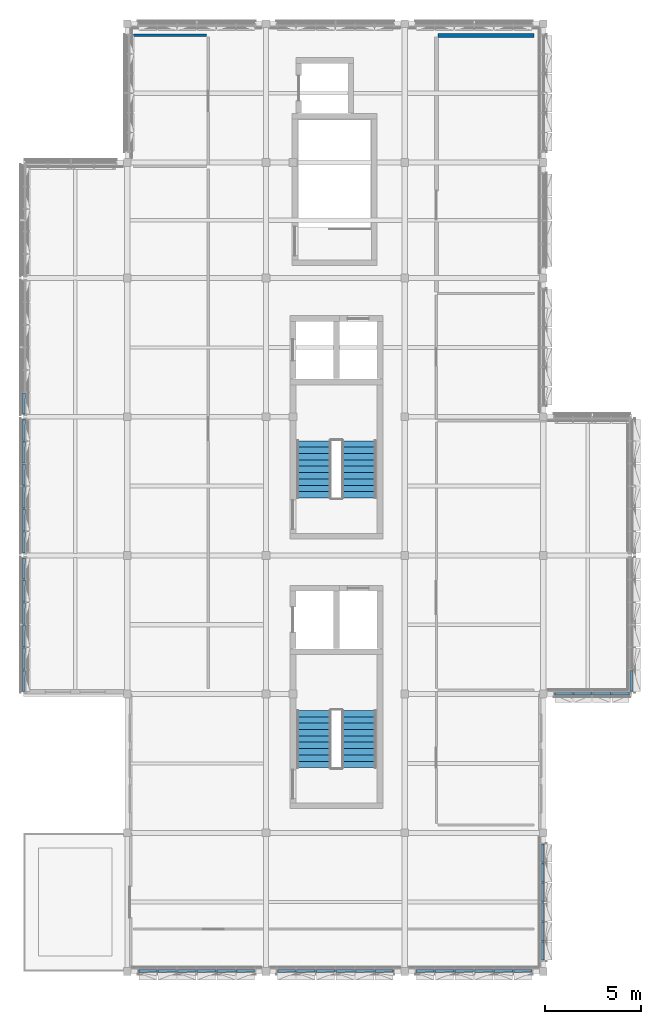
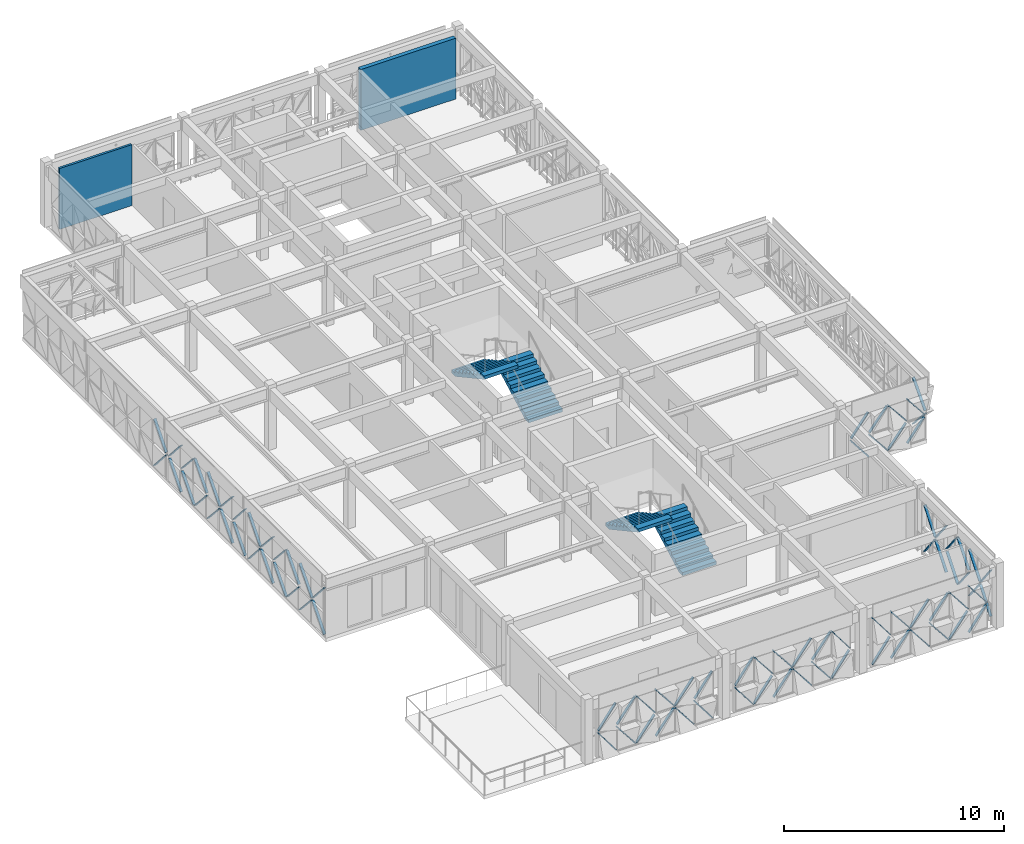
# One storey, part 17 of 25: 84 discrete accessories, 4 stair flights, 2 walls, 2 elements without a shape of their own.
"""IFC4 building model written with IfcOpenShell, lengths in metres."""

from ifc_helpers import new_model, si_unit, direction, frame, frame_2d, origin, origin_2d, place, context, subcontext, project, spatial, polyline, rectangle, outline, extrude, material, layer, layer_set, type_object, element, aggregate, save


model = new_model("IFC4")

# Units and contexts
model_context = context("Model", 3, precision=1e-05, world=origin(), true_north=direction((0.0, 1.0)))
body_context = subcontext(model_context, "Body", "Model", "MODEL_VIEW")
ifc_project = project(units=[si_unit("LENGTHUNIT", "METRE"), si_unit("AREAUNIT", "SQUARE_METRE"), si_unit("VOLUMEUNIT", "CUBIC_METRE"), si_unit("PLANEANGLEUNIT", "RADIAN"), si_unit("MASSUNIT", "GRAM", prefix="KILO")], contexts=[model_context])

# Site, building, storey
site_placement = place(None, origin())
site = spatial("IfcSite", under=ifc_project, at=site_placement, CompositionType="ELEMENT")
building_placement = place(site_placement, origin())
building = spatial("IfcBuilding", under=site, at=building_placement, Name="Alvorim Cloister Faculty of Sciences", CompositionType="ELEMENT")
storey_placement = place(building_placement, frame((0.0, 0.0, 29.699951171875)))
storey = spatial("IfcBuildingStorey", under=building, at=storey_placement, Name="L08", CompositionType="ELEMENT", Elevation=29.699951171875)

# Walls
ifc_material_1 = material(Name="Acoustic Gypsum Stud Partition", Category="gypsum")
ifc_layer_1 = layer(ifc_material_1, 0.1201171875)
ifc_layer_set_1 = layer_set([ifc_layer_1], Name="Acoustic Gypsum Stud Partition")
wall_type_1 = type_object("IfcWallType", Name="WL-PRT-120", PredefinedType="PARTITIONING", material=ifc_layer_set_1)
wall_1_placement = place(storey_placement, frame((7.530029296875, 55.800048828125, 0.0), z_axis=(0.0, 0.0, 1.0), x_axis=(1.0, 0.0, 0.0)))
element("IfcWall", 1, at=wall_1_placement, inside=storey, type_object=wall_type_1, Name="L08 Crown Research Directors Suite Partition IWL-0705", PredefinedType="PARTITIONING", context=body_context, shape_type="SweptSolid", body=[
    extrude(rectangle(XDim=3.7900390625, YDim=0.1201171875, at=frame_2d((1.89501953125, 0.0))), origin(), (0.0, 0.0, 1.0), 3.385009765625),
])
ifc_material_2 = material(Name="Autoclaved Aerated Concrete Blockwork", Category="masonry")
ifc_layer_2 = layer(ifc_material_2, 0.219970703125)
ifc_layer_set_2 = layer_set([ifc_layer_2], Name="Autoclaved Aerated Concrete Blockwork")
wall_type_2 = type_object("IfcWallType", Name="WL-PRT-220", PredefinedType="PARTITIONING", material=ifc_layer_set_2)
wall_2_placement = place(storey_placement, frame((23.330078125, 55.800048828125, 0.0), z_axis=(0.0, 0.0, 1.0), x_axis=(1.0, 0.0, 0.0)))
element("IfcWall", 2, at=wall_2_placement, inside=storey, type_object=wall_type_2, Name="L08 Crown Heat-Recovery and Solar Inverter Room Partition IWL-0716", PredefinedType="PARTITIONING", context=body_context, shape_type="SweptSolid", body=[
    extrude(rectangle(XDim=4.989990234375, YDim=0.219970703125, at=frame_2d((2.4951171875, 0.0))), origin(), (0.0, 0.0, 1.0), 3.385009765625),
])

# Stair, stair flights
ifc_material_3 = material(Name="Concrete C40", Category="concrete")
stair_type_1 = type_object("IfcStairType", Name="STR-ST-01-1780x3600", PredefinedType="HALF_TURN_STAIR", material=ifc_material_3)
stair_1_placement = place(storey_placement, origin())
stair_1 = element("IfcStair", 3, at=stair_1_placement, inside=storey, type_object=stair_type_1, Name="L08 Enclosed Smoke-Proof Stair ST-01", PredefinedType="HALF_TURN_STAIR")
stair_flight_type_1 = type_object("IfcStairFlightType", Name="FLT-ST-01-1780x1800", PredefinedType="STRAIGHT", material=ifc_material_3)
stair_flight_1_placement = place(storey_placement, frame((19.22998046875, 17.780029296875, 0.0), z_axis=(0.0, 0.0, 1.0), x_axis=(0.0, 1.0, 0.0)))
stair_flight_1 = element("IfcStairFlight", 4, at=stair_flight_1_placement, type_object=stair_flight_type_1, Name="ST-01 flight 1", NumberOfRisers=10, NumberOfTreads=9, PredefinedType="STRAIGHT", RiserHeight=0.18, TreadLength=0.33, context=body_context, shape_type="SweptSolid", body=[
    extrude(outline(polyline([(0.333984375, 0.0), (2.969970703125, 1.437744140625), (2.969970703125, 1.800048828125), (2.969970703125, 1.6201171875), (2.639892578125, 1.6201171875), (2.639892578125, 1.43994140625), (2.31005859375, 1.43994140625), (2.31005859375, 1.260009765625), (1.97998046875, 1.260009765625), (1.97998046875, 1.080078125), (1.64990234375, 1.080078125), (1.64990234375, 0.89990234375), (1.320068359375, 0.89990234375), (1.320068359375, 0.719970703125), (0.989990234375, 0.719970703125), (0.989990234375, 0.5400390625), (0.659912109375, 0.5400390625), (0.659912109375, 0.360107421875), (0.330078125, 0.360107421875), (0.330078125, 0.179931640625), (0.0, 0.179931640625), (0.0, 0.0), (0.333984375, 0.0)])), frame((0.0, 0.89013671875, 0.0), z_axis=(0.0, -1.0, 0.0), x_axis=(1.0, 0.0, 0.0)), (0.0, 0.0, 1.0), 1.780029296875),
])
stair_flight_2_placement = place(storey_placement, frame((16.889892578125, 20.75, 1.800048828125), z_axis=(0.0, 0.0, 1.0), x_axis=(0.0, -1.0, 0.0)))
stair_flight_2 = element("IfcStairFlight", 5, at=stair_flight_2_placement, type_object=stair_flight_type_1, Name="ST-01 flight 2", NumberOfRisers=10, NumberOfTreads=9, PredefinedType="STRAIGHT", RiserHeight=0.18, TreadLength=0.33, context=body_context, shape_type="SweptSolid", body=[
    extrude(outline(polyline([(0.333984375, 0.0), (2.969970703125, 1.437744140625), (2.969970703125, 1.800048828125), (2.969970703125, 1.6201171875), (2.639892578125, 1.6201171875), (2.639892578125, 1.43994140625), (2.31005859375, 1.43994140625), (2.31005859375, 1.260009765625), (1.97998046875, 1.260009765625), (1.97998046875, 1.080078125), (1.64990234375, 1.080078125), (1.64990234375, 0.89990234375), (1.320068359375, 0.89990234375), (1.320068359375, 0.719970703125), (0.989990234375, 0.719970703125), (0.989990234375, 0.5400390625), (0.659912109375, 0.5400390625), (0.659912109375, 0.360107421875), (0.330078125, 0.360107421875), (0.330078125, 0.179931640625), (0.0, 0.179931640625), (0.0, 0.0), (0.333984375, 0.0)])), frame((0.0, 0.89013671875, 0.0), z_axis=(0.0, -1.0, 0.0), x_axis=(1.0, 0.0, 0.0)), (0.0, 0.0, 1.0), 1.780029296875),
])
aggregate(stair_1, [stair_flight_1, stair_flight_2])

stair_type_2 = type_object("IfcStairType", Name="STR-ST-02-1780x3600", PredefinedType="HALF_TURN_STAIR", material=ifc_material_3)
stair_2_placement = place(storey_placement, origin())
stair_2 = element("IfcStair", 6, at=stair_2_placement, inside=storey, type_object=stair_type_2, Name="L08 Enclosed Smoke-Proof Stair ST-02", PredefinedType="HALF_TURN_STAIR")
stair_flight_type_2 = type_object("IfcStairFlightType", Name="FLT-ST-02-1780x1800", PredefinedType="STRAIGHT", material=ifc_material_3)
stair_flight_3_placement = place(storey_placement, frame((19.22998046875, 31.780029296875, 0.0), z_axis=(0.0, 0.0, 1.0), x_axis=(0.0, 1.0, 0.0)))
stair_flight_3 = element("IfcStairFlight", 7, at=stair_flight_3_placement, type_object=stair_flight_type_2, Name="ST-02 flight 1", NumberOfRisers=10, NumberOfTreads=9, PredefinedType="STRAIGHT", RiserHeight=0.18, TreadLength=0.33, context=body_context, shape_type="SweptSolid", body=[
    extrude(outline(polyline([(0.333984375, 0.0), (2.969970703125, 1.437744140625), (2.969970703125, 1.800048828125), (2.969970703125, 1.6201171875), (2.639892578125, 1.6201171875), (2.639892578125, 1.43994140625), (2.31005859375, 1.43994140625), (2.31005859375, 1.260009765625), (1.97998046875, 1.260009765625), (1.97998046875, 1.080078125), (1.64990234375, 1.080078125), (1.64990234375, 0.89990234375), (1.320068359375, 0.89990234375), (1.320068359375, 0.719970703125), (0.989990234375, 0.719970703125), (0.989990234375, 0.5400390625), (0.659912109375, 0.5400390625), (0.659912109375, 0.360107421875), (0.330078125, 0.360107421875), (0.330078125, 0.179931640625), (0.0, 0.179931640625), (0.0, 0.0), (0.333984375, 0.0)])), frame((0.0, 0.89013671875, 0.0), z_axis=(0.0, -1.0, 0.0), x_axis=(1.0, 0.0, 0.0)), (0.0, 0.0, 1.0), 1.780029296875),
])
stair_flight_4_placement = place(storey_placement, frame((16.889892578125, 34.75, 1.800048828125), z_axis=(0.0, 0.0, 1.0), x_axis=(0.0, -1.0, 0.0)))
stair_flight_4 = element("IfcStairFlight", 8, at=stair_flight_4_placement, type_object=stair_flight_type_2, Name="ST-02 flight 2", NumberOfRisers=10, NumberOfTreads=9, PredefinedType="STRAIGHT", RiserHeight=0.18, TreadLength=0.33, context=body_context, shape_type="SweptSolid", body=[
    extrude(outline(polyline([(0.333984375, 0.0), (2.969970703125, 1.437744140625), (2.969970703125, 1.800048828125), (2.969970703125, 1.6201171875), (2.639892578125, 1.6201171875), (2.639892578125, 1.43994140625), (2.31005859375, 1.43994140625), (2.31005859375, 1.260009765625), (1.97998046875, 1.260009765625), (1.97998046875, 1.080078125), (1.64990234375, 1.080078125), (1.64990234375, 0.89990234375), (1.320068359375, 0.89990234375), (1.320068359375, 0.719970703125), (0.989990234375, 0.719970703125), (0.989990234375, 0.5400390625), (0.659912109375, 0.5400390625), (0.659912109375, 0.360107421875), (0.330078125, 0.360107421875), (0.330078125, 0.179931640625), (0.0, 0.179931640625), (0.0, 0.0), (0.333984375, 0.0)])), frame((0.0, 0.89013671875, 0.0), z_axis=(0.0, -1.0, 0.0), x_axis=(1.0, 0.0, 0.0)), (0.0, 0.0, 1.0), 1.780029296875),
])
aggregate(stair_2, [stair_flight_3, stair_flight_4])

# Discrete accessories
ifc_material_4 = material(Name="Aluminium Alloy 6063-T6", Category="aluminium")
discrete_accessory_type = type_object("IfcDiscreteAccessoryType", Name="ACC-DIAG-BAR", PredefinedType="BRACKET", material=ifc_material_4)
for number, where, z_axis, x_axis, name in (
    (9, (1.822509765625, 21.7451171875, 0.14013671875), (0.006144459106, 0.660304556563, 0.750972794584), (-0.999956706716, 0.009305089645, 0.0), "Diagonal Cassette Glazing Bracket ACC-03131"),
    (10, (1.822509765625, 21.7451171875, 2.72705078125), (0.006144459106, 0.660304556563, -0.750972794584), (-0.999956706716, 0.009305089645, 0.0), "Diagonal Cassette Glazing Bracket ACC-03132"),
):
    element("IfcDiscreteAccessory", number, at=place(storey_placement, frame(where, z_axis=z_axis, x_axis=x_axis)), inside=storey, type_object=discrete_accessory_type, Name=name, PredefinedType="BRACKET", context=body_context, shape_type="SweptSolid", body=[
        extrude(rectangle(XDim=0.139892578125, YDim=0.044921875, at=origin_2d()), origin(), (0.0, 0.0, 1.0), 1.629150390625),
    ])
for number, where, z_axis, x_axis, name in (
    (11, (1.822509765625, 22.8857421875, 1.363525390625), (0.006063377232, 0.671408113036, -0.741063007582), (-0.999959224486, 0.009030468767, 0.0), "Diagonal Cassette Glazing Bracket ACC-03133"),
    (12, (1.822509765625, 22.8857421875, 1.503662109375), (0.006063377232, 0.671408113036, 0.741063007582), (-0.999959224486, 0.009030468767, 0.0), "Diagonal Cassette Glazing Bracket ACC-03134"),
    (13, (1.822509765625, 24.05908203125, 1.363525390625), (0.006063377232, 0.671408113036, -0.741063007582), (-0.999959224486, 0.009030468767, 0.0), "Diagonal Cassette Glazing Bracket ACC-03135"),
    (14, (1.822509765625, 24.05908203125, 1.503662109375), (0.006063377232, 0.671408113036, 0.741063007582), (-0.999959224486, 0.009030468767, 0.0), "Diagonal Cassette Glazing Bracket ACC-03136"),
    (15, (1.822509765625, 25.232421875, 0.14013671875), (0.006063377232, 0.671408113036, 0.741063007582), (-0.999959224486, 0.009030468767, 0.0), "Diagonal Cassette Glazing Bracket ACC-03137"),
    (16, (1.822509765625, 25.232421875, 2.72705078125), (0.006063377232, 0.671408113036, -0.741063007582), (-0.999959224486, 0.009030468767, 0.0), "Diagonal Cassette Glazing Bracket ACC-03138"),
    (17, (1.822509765625, 26.40576171875, 0.14013671875), (0.006063377232, 0.671408113036, 0.741063007582), (-0.999959224486, 0.009030468767, 0.0), "Diagonal Cassette Glazing Bracket ACC-03139"),
    (18, (1.822509765625, 26.40576171875, 2.72705078125), (0.006063377232, 0.671408113036, -0.741063007582), (-0.999959224486, 0.009030468767, 0.0), "Diagonal Cassette Glazing Bracket ACC-03140"),
):
    element("IfcDiscreteAccessory", number, at=place(storey_placement, frame(where, z_axis=z_axis, x_axis=x_axis)), inside=storey, type_object=discrete_accessory_type, Name=name, PredefinedType="BRACKET", context=body_context, shape_type="SweptSolid", body=[
        extrude(rectangle(XDim=0.139892578125, YDim=0.044921875, at=origin_2d()), origin(), (0.0, 0.0, 1.0), 1.65087890625),
    ])
for number, where, z_axis, x_axis, name in (
    (19, (1.822509765625, 27.5791015625, 1.363525390625), (0.006143851093, 0.660389067481, -0.750898483582), (-0.99995672636, 0.009302978394, 0.0), "Diagonal Cassette Glazing Bracket ACC-03141"),
    (20, (1.822509765625, 27.5791015625, 1.503662109375), (0.006143851093, 0.660389067481, 0.750898483582), (-0.99995672636, 0.009302978394, 0.0), "Diagonal Cassette Glazing Bracket ACC-03142"),
    (21, (1.822509765625, 28.945068359375, 0.14013671875), (0.006144459106, 0.660304556563, 0.750972794584), (-0.999956706716, 0.009305089645, 0.0), "Diagonal Cassette Glazing Bracket ACC-03144"),
    (22, (1.822509765625, 28.945068359375, 2.72705078125), (0.006144459106, 0.660304556563, -0.750972794584), (-0.999956706716, 0.009305089645, 0.0), "Diagonal Cassette Glazing Bracket ACC-03145"),
):
    element("IfcDiscreteAccessory", number, at=place(storey_placement, frame(where, z_axis=z_axis, x_axis=x_axis)), inside=storey, type_object=discrete_accessory_type, Name=name, PredefinedType="BRACKET", context=body_context, shape_type="SweptSolid", body=[
        extrude(rectangle(XDim=0.139892578125, YDim=0.044921875, at=origin_2d()), origin(), (0.0, 0.0, 1.0), 1.629150390625),
    ])
for number, where, z_axis, x_axis, name in (
    (23, (1.822509765625, 30.0859375, 0.14013671875), (0.006063979305, 0.671326879612, 0.741136592583), (-0.999959206518, 0.009032458133, 0.0), "Diagonal Cassette Glazing Bracket ACC-03146"),
    (24, (1.822509765625, 30.0859375, 2.72705078125), (0.006063979305, 0.671326879612, -0.741136592583), (-0.999959206518, 0.009032458133, 0.0), "Diagonal Cassette Glazing Bracket ACC-03147"),
    (25, (1.822509765625, 31.25927734375, 1.363525390625), (0.006063979305, 0.671326879612, -0.741136592583), (-0.999959206518, 0.009032458133, 0.0), "Diagonal Cassette Glazing Bracket ACC-03148"),
    (26, (1.822509765625, 31.25927734375, 1.503662109375), (0.006063979305, 0.671326879612, 0.741136592583), (-0.999959206518, 0.009032458133, 0.0), "Diagonal Cassette Glazing Bracket ACC-03149"),
    (27, (1.822509765625, 32.4326171875, 1.363525390625), (0.006063979305, 0.671326879612, -0.741136592583), (-0.999959206518, 0.009032458133, 0.0), "Diagonal Cassette Glazing Bracket ACC-03150"),
    (28, (1.822509765625, 32.4326171875, 1.503662109375), (0.006063979305, 0.671326879612, 0.741136592583), (-0.999959206518, 0.009032458133, 0.0), "Diagonal Cassette Glazing Bracket ACC-03151"),
):
    element("IfcDiscreteAccessory", number, at=place(storey_placement, frame(where, z_axis=z_axis, x_axis=x_axis)), inside=storey, type_object=discrete_accessory_type, Name=name, PredefinedType="BRACKET", context=body_context, shape_type="SweptSolid", body=[
        extrude(rectangle(XDim=0.139892578125, YDim=0.044921875, at=origin_2d()), origin(), (0.0, 0.0, 1.0), 1.650634765625),
    ])
for number, where, z_axis, x_axis, name in (
    (29, (1.822509765625, 33.605712890625, 0.14013671875), (0.006063377232, 0.671408113036, 0.741063007582), (-0.999959224486, 0.009030468767, 0.0), "Diagonal Cassette Glazing Bracket ACC-03152"),
    (30, (1.822509765625, 33.605712890625, 2.72705078125), (0.006063377232, 0.671408113036, -0.741063007582), (-0.999959224486, 0.009030468767, 0.0), "Diagonal Cassette Glazing Bracket ACC-03153"),
):
    element("IfcDiscreteAccessory", number, at=place(storey_placement, frame(where, z_axis=z_axis, x_axis=x_axis)), inside=storey, type_object=discrete_accessory_type, Name=name, PredefinedType="BRACKET", context=body_context, shape_type="SweptSolid", body=[
        extrude(rectangle(XDim=0.139892578125, YDim=0.044921875, at=origin_2d()), origin(), (0.0, 0.0, 1.0), 1.65087890625),
    ])
for number, where, z_axis, x_axis, name in (
    (31, (1.822509765625, 34.779052734375, 0.14013671875), (0.006143851093, 0.660389067481, 0.750898483582), (-0.99995672636, 0.009302978394, 0.0), "Diagonal Cassette Glazing Bracket ACC-03154"),
    (32, (1.822509765625, 34.779052734375, 2.72705078125), (0.006143851093, 0.660389067481, -0.750898483582), (-0.99995672636, 0.009302978394, 0.0), "Diagonal Cassette Glazing Bracket ACC-03155"),
    (33, (1.822509765625, 36.14501953125, 1.363525390625), (0.006143851093, 0.660389067481, -0.750898483582), (-0.99995672636, 0.009302978394, 0.0), "Diagonal Cassette Glazing Bracket ACC-03157"),
    (34, (1.822509765625, 36.14501953125, 1.503662109375), (0.006143851093, 0.660389067481, 0.750898483582), (-0.99995672636, 0.009302978394, 0.0), "Diagonal Cassette Glazing Bracket ACC-03158"),
    (35, (33.37744140625, 21.7451171875, 1.363525390625), (-0.006144459106, 0.660304556563, -0.750972794584), (-0.999956706716, -0.009305089645, 0.0), "Diagonal Cassette Glazing Bracket ACC-03299"),
    (36, (33.37744140625, 21.7451171875, 1.503662109375), (-0.006144459106, 0.660304556563, 0.750972794584), (-0.999956706716, -0.009305089645, 0.0), "Diagonal Cassette Glazing Bracket ACC-03300"),
):
    element("IfcDiscreteAccessory", number, at=place(storey_placement, frame(where, z_axis=z_axis, x_axis=x_axis)), inside=storey, type_object=discrete_accessory_type, Name=name, PredefinedType="BRACKET", context=body_context, shape_type="SweptSolid", body=[
        extrude(rectangle(XDim=0.139892578125, YDim=0.044921875, at=origin_2d()), origin(), (0.0, 0.0, 1.0), 1.629150390625),
    ])
for number, where, z_axis, x_axis, name in (
    (37, (29.405029296875, 21.62255859375, 1.2880859375), (0.615896090251, 0.006869352476, -0.787797447324), (-0.011152733966, 0.999937806329, 0.0), "Diagonal Cassette Glazing Bracket ACC-03312"),
    (38, (29.405029296875, 21.62255859375, 1.427978515625), (0.615896090251, 0.006869352476, 0.787797447324), (-0.011152733966, 0.999937806329, 0.0), "Diagonal Cassette Glazing Bracket ACC-03313"),
):
    element("IfcDiscreteAccessory", number, at=place(storey_placement, frame(where, z_axis=z_axis, x_axis=x_axis)), inside=storey, type_object=discrete_accessory_type, Name=name, PredefinedType="BRACKET", context=body_context, shape_type="SweptSolid", body=[
        extrude(rectangle(XDim=0.139892578125, YDim=0.044921875, at=origin_2d()), origin(), (0.0, 0.0, 1.0), 1.457275390625),
    ])
for number, where, z_axis, x_axis, name in (
    (39, (30.367431640625, 21.62255859375, 1.2880859375), (0.629544975108, 0.006774630966, -0.776934507338), (-0.010760531826, 0.999942103801, 0.0), "Diagonal Cassette Glazing Bracket ACC-03314"),
    (40, (30.367431640625, 21.62255859375, 1.427978515625), (0.629544975108, 0.006774630966, 0.776934507338), (-0.010760531826, 0.999942103801, 0.0), "Diagonal Cassette Glazing Bracket ACC-03315"),
):
    element("IfcDiscreteAccessory", number, at=place(storey_placement, frame(where, z_axis=z_axis, x_axis=x_axis)), inside=storey, type_object=discrete_accessory_type, Name=name, PredefinedType="BRACKET", context=body_context, shape_type="SweptSolid", body=[
        extrude(rectangle(XDim=0.139892578125, YDim=0.044921875, at=origin_2d()), origin(), (0.0, 0.0, 1.0), 1.4775390625),
    ])
for number, where, z_axis, x_axis, name in (
    (41, (31.362548828125, 21.62255859375, 0.14013671875), (0.629445211673, 0.006775335699, 0.777015328245), (-0.010763356526, 0.9999420734, 0.0), "Diagonal Cassette Glazing Bracket ACC-03316"),
    (42, (31.362548828125, 21.62255859375, 2.575927734375), (0.629445211673, 0.006775335699, -0.777015328245), (-0.010763356526, 0.9999420734, 0.0), "Diagonal Cassette Glazing Bracket ACC-03317"),
):
    element("IfcDiscreteAccessory", number, at=place(storey_placement, frame(where, z_axis=z_axis, x_axis=x_axis)), inside=storey, type_object=discrete_accessory_type, Name=name, PredefinedType="BRACKET", context=body_context, shape_type="SweptSolid", body=[
        extrude(rectangle(XDim=0.139892578125, YDim=0.044921875, at=origin_2d()), origin(), (0.0, 0.0, 1.0), 1.477294921875),
    ])
for number, where, z_axis, x_axis, name in (
    (43, (32.357421875, 21.62255859375, 0.14013671875), (0.615896090251, 0.006869352476, 0.787797447324), (-0.011152733966, 0.999937806329, 0.0), "Diagonal Cassette Glazing Bracket ACC-03318"),
    (44, (32.357421875, 21.62255859375, 2.575927734375), (0.615896090251, 0.006869352476, -0.787797447324), (-0.011152733966, 0.999937806329, 0.0), "Diagonal Cassette Glazing Bracket ACC-03319"),
):
    element("IfcDiscreteAccessory", number, at=place(storey_placement, frame(where, z_axis=z_axis, x_axis=x_axis)), inside=storey, type_object=discrete_accessory_type, Name=name, PredefinedType="BRACKET", context=body_context, shape_type="SweptSolid", body=[
        extrude(rectangle(XDim=0.139892578125, YDim=0.044921875, at=origin_2d()), origin(), (0.0, 0.0, 1.0), 1.457275390625),
    ])
for number, where, z_axis, x_axis, name in (
    (45, (28.777587890625, 7.804931640625, 0.14013671875), (-0.006544101461, 0.603174620015, 0.797582317072), (-0.999941150118, -0.010848792579, 0.0), "Diagonal Cassette Glazing Bracket ACC-03321"),
    (46, (28.777587890625, 7.804931640625, 2.719970703125), (-0.006544101461, 0.603174620015, -0.797582317072), (-0.999941150118, -0.010848792579, 0.0), "Diagonal Cassette Glazing Bracket ACC-03322"),
):
    element("IfcDiscreteAccessory", number, at=place(storey_placement, frame(where, z_axis=z_axis, x_axis=x_axis)), inside=storey, type_object=discrete_accessory_type, Name=name, PredefinedType="BRACKET", context=body_context, shape_type="SweptSolid", body=[
        extrude(rectangle(XDim=0.139892578125, YDim=0.044921875, at=origin_2d()), origin(), (0.0, 0.0, 1.0), 1.529541015625),
    ])
for number, where, z_axis, x_axis, name in (
    (47, (28.777587890625, 8.79248046875, 1.360107421875), (-0.006460464468, 0.616422853607, -0.787388803546), (-0.999945083323, -0.010479997039, 0.0), "Diagonal Cassette Glazing Bracket ACC-03323"),
    (48, (28.777587890625, 8.79248046875, 1.5), (-0.006460464468, 0.616422853607, 0.787388803546), (-0.999945083323, -0.010479997039, 0.0), "Diagonal Cassette Glazing Bracket ACC-03324"),
    (49, (28.777587890625, 9.8125, 1.360107421875), (-0.006460464468, 0.616422853607, -0.787388803546), (-0.999945083323, -0.010479997039, 0.0), "Diagonal Cassette Glazing Bracket ACC-03325"),
    (50, (28.777587890625, 9.8125, 1.5), (-0.006460464468, 0.616422853607, 0.787388803546), (-0.999945083323, -0.010479997039, 0.0), "Diagonal Cassette Glazing Bracket ACC-03326"),
    (51, (28.777587890625, 10.83251953125, 0.14013671875), (-0.006460464468, 0.616422853607, 0.787388803546), (-0.999945083323, -0.010479997039, 0.0), "Diagonal Cassette Glazing Bracket ACC-03327"),
    (52, (28.777587890625, 10.83251953125, 2.719970703125), (-0.006460464468, 0.616422853607, -0.787388803546), (-0.999945083323, -0.010479997039, 0.0), "Diagonal Cassette Glazing Bracket ACC-03328"),
    (53, (28.777587890625, 11.8525390625, 0.14013671875), (-0.006460464468, 0.616422853607, 0.787388803546), (-0.999945083323, -0.010479997039, 0.0), "Diagonal Cassette Glazing Bracket ACC-03329"),
    (54, (28.777587890625, 11.8525390625, 2.719970703125), (-0.006460464468, 0.616422853607, -0.787388803546), (-0.999945083323, -0.010479997039, 0.0), "Diagonal Cassette Glazing Bracket ACC-03330"),
):
    element("IfcDiscreteAccessory", number, at=place(storey_placement, frame(where, z_axis=z_axis, x_axis=x_axis)), inside=storey, type_object=discrete_accessory_type, Name=name, PredefinedType="BRACKET", context=body_context, shape_type="SweptSolid", body=[
        extrude(rectangle(XDim=0.139892578125, YDim=0.044921875, at=origin_2d()), origin(), (0.0, 0.0, 1.0), 1.54931640625),
    ])
for number, where, z_axis, x_axis, name in (
    (55, (28.777587890625, 12.87255859375, 1.360107421875), (-0.006544731496, 0.603073063181, -0.797659104477), (-0.999941118963, -0.010851663811, 0.0), "Diagonal Cassette Glazing Bracket ACC-03331"),
    (56, (28.777587890625, 12.87255859375, 1.5), (-0.006544731496, 0.603073063181, 0.797659104477), (-0.999941118963, -0.010851663811, 0.0), "Diagonal Cassette Glazing Bracket ACC-03332"),
    (57, (22.205078125, 7.222412109375, 0.14013671875), (0.603073063181, 0.006544731496, 0.797659104477), (-0.010851663811, 0.999941118963, 0.0), "Diagonal Cassette Glazing Bracket ACC-03334"),
    (58, (22.205078125, 7.222412109375, 2.719970703125), (0.603073063181, 0.006544731496, -0.797659104477), (-0.010851663811, 0.999941118963, 0.0), "Diagonal Cassette Glazing Bracket ACC-03335"),
):
    element("IfcDiscreteAccessory", number, at=place(storey_placement, frame(where, z_axis=z_axis, x_axis=x_axis)), inside=storey, type_object=discrete_accessory_type, Name=name, PredefinedType="BRACKET", context=body_context, shape_type="SweptSolid", body=[
        extrude(rectangle(XDim=0.139892578125, YDim=0.044921875, at=origin_2d()), origin(), (0.0, 0.0, 1.0), 1.529541015625),
    ])
for number, where, z_axis, x_axis, name in (
    (59, (23.1923828125, 7.222412109375, 0.14013671875), (0.616422853607, 0.006460464468, 0.787388803546), (-0.010479997039, 0.999945083323, 0.0), "Diagonal Cassette Glazing Bracket ACC-03336"),
    (60, (23.1923828125, 7.222412109375, 2.719970703125), (0.616422853607, 0.006460464468, -0.787388803546), (-0.010479997039, 0.999945083323, 0.0), "Diagonal Cassette Glazing Bracket ACC-03337"),
    (61, (24.21240234375, 7.222412109375, 1.360107421875), (0.616422853607, 0.006460464468, -0.787388803546), (-0.010479997039, 0.999945083323, 0.0), "Diagonal Cassette Glazing Bracket ACC-03338"),
    (62, (24.21240234375, 7.222412109375, 1.5), (0.616422853607, 0.006460464468, 0.787388803546), (-0.010479997039, 0.999945083323, 0.0), "Diagonal Cassette Glazing Bracket ACC-03339"),
    (63, (25.232421875, 7.222412109375, 1.360107421875), (0.616422853607, 0.006460464468, -0.787388803546), (-0.010479997039, 0.999945083323, 0.0), "Diagonal Cassette Glazing Bracket ACC-03340"),
    (64, (25.232421875, 7.222412109375, 1.5), (0.616422853607, 0.006460464468, 0.787388803546), (-0.010479997039, 0.999945083323, 0.0), "Diagonal Cassette Glazing Bracket ACC-03341"),
    (65, (26.25244140625, 7.222412109375, 0.14013671875), (0.616422853607, 0.006460464468, 0.787388803546), (-0.010479997039, 0.999945083323, 0.0), "Diagonal Cassette Glazing Bracket ACC-03342"),
    (66, (26.25244140625, 7.222412109375, 2.719970703125), (0.616422853607, 0.006460464468, -0.787388803546), (-0.010479997039, 0.999945083323, 0.0), "Diagonal Cassette Glazing Bracket ACC-03343"),
):
    element("IfcDiscreteAccessory", number, at=place(storey_placement, frame(where, z_axis=z_axis, x_axis=x_axis)), inside=storey, type_object=discrete_accessory_type, Name=name, PredefinedType="BRACKET", context=body_context, shape_type="SweptSolid", body=[
        extrude(rectangle(XDim=0.139892578125, YDim=0.044921875, at=origin_2d()), origin(), (0.0, 0.0, 1.0), 1.54931640625),
    ])
for number, where, z_axis, x_axis, name in (
    (67, (27.2724609375, 7.222412109375, 0.14013671875), (0.603174620015, 0.006544101461, 0.797582317072), (-0.010848792579, 0.999941150118, 0.0), "Diagonal Cassette Glazing Bracket ACC-03344"),
    (68, (27.2724609375, 7.222412109375, 2.719970703125), (0.603174620015, 0.006544101461, -0.797582317072), (-0.010848792579, 0.999941150118, 0.0), "Diagonal Cassette Glazing Bracket ACC-03345"),
    (69, (15.0048828125, 7.222412109375, 1.360107421875), (0.603174620015, 0.006544101461, -0.797582317072), (-0.010848792579, 0.999941150118, 0.0), "Diagonal Cassette Glazing Bracket ACC-03347"),
    (70, (15.0048828125, 7.222412109375, 1.5), (0.603174620015, 0.006544101461, 0.797582317072), (-0.010848792579, 0.999941150118, 0.0), "Diagonal Cassette Glazing Bracket ACC-03348"),
):
    element("IfcDiscreteAccessory", number, at=place(storey_placement, frame(where, z_axis=z_axis, x_axis=x_axis)), inside=storey, type_object=discrete_accessory_type, Name=name, PredefinedType="BRACKET", context=body_context, shape_type="SweptSolid", body=[
        extrude(rectangle(XDim=0.139892578125, YDim=0.044921875, at=origin_2d()), origin(), (0.0, 0.0, 1.0), 1.529541015625),
    ])
for number, where, z_axis, x_axis, name in (
    (71, (15.992431640625, 7.222412109375, 0.14013671875), (0.616422853607, 0.006460464468, 0.787388803546), (-0.010479997039, 0.999945083323, 0.0), "Diagonal Cassette Glazing Bracket ACC-03349"),
    (72, (15.992431640625, 7.222412109375, 2.719970703125), (0.616422853607, 0.006460464468, -0.787388803546), (-0.010479997039, 0.999945083323, 0.0), "Diagonal Cassette Glazing Bracket ACC-03350"),
    (73, (17.012451171875, 7.222412109375, 0.14013671875), (0.616422853607, 0.006460464468, 0.787388803546), (-0.010479997039, 0.999945083323, 0.0), "Diagonal Cassette Glazing Bracket ACC-03351"),
    (74, (17.012451171875, 7.222412109375, 2.719970703125), (0.616422853607, 0.006460464468, -0.787388803546), (-0.010479997039, 0.999945083323, 0.0), "Diagonal Cassette Glazing Bracket ACC-03352"),
    (75, (18.032470703125, 7.222412109375, 1.360107421875), (0.616422853607, 0.006460464468, -0.787388803546), (-0.010479997039, 0.999945083323, 0.0), "Diagonal Cassette Glazing Bracket ACC-03353"),
    (76, (18.032470703125, 7.222412109375, 1.5), (0.616422853607, 0.006460464468, 0.787388803546), (-0.010479997039, 0.999945083323, 0.0), "Diagonal Cassette Glazing Bracket ACC-03354"),
    (77, (19.052490234375, 7.222412109375, 1.360107421875), (0.616422853607, 0.006460464468, -0.787388803546), (-0.010479997039, 0.999945083323, 0.0), "Diagonal Cassette Glazing Bracket ACC-03355"),
    (78, (19.052490234375, 7.222412109375, 1.5), (0.616422853607, 0.006460464468, 0.787388803546), (-0.010479997039, 0.999945083323, 0.0), "Diagonal Cassette Glazing Bracket ACC-03356"),
):
    element("IfcDiscreteAccessory", number, at=place(storey_placement, frame(where, z_axis=z_axis, x_axis=x_axis)), inside=storey, type_object=discrete_accessory_type, Name=name, PredefinedType="BRACKET", context=body_context, shape_type="SweptSolid", body=[
        extrude(rectangle(XDim=0.139892578125, YDim=0.044921875, at=origin_2d()), origin(), (0.0, 0.0, 1.0), 1.54931640625),
    ])
for number, where, z_axis, x_axis, name in (
    (79, (20.072509765625, 7.222412109375, 0.14013671875), (0.603174620015, 0.006544101461, 0.797582317072), (-0.010848792579, 0.999941150118, 0.0), "Diagonal Cassette Glazing Bracket ACC-03357"),
    (80, (20.072509765625, 7.222412109375, 2.719970703125), (0.603174620015, 0.006544101461, -0.797582317072), (-0.010848792579, 0.999941150118, 0.0), "Diagonal Cassette Glazing Bracket ACC-03358"),
    (81, (7.804931640625, 7.222412109375, 1.360107421875), (0.603174620015, 0.006544101461, -0.797582317072), (-0.010848792579, 0.999941150118, 0.0), "Diagonal Cassette Glazing Bracket ACC-03360"),
    (82, (7.804931640625, 7.222412109375, 1.5), (0.603174620015, 0.006544101461, 0.797582317072), (-0.010848792579, 0.999941150118, 0.0), "Diagonal Cassette Glazing Bracket ACC-03361"),
):
    element("IfcDiscreteAccessory", number, at=place(storey_placement, frame(where, z_axis=z_axis, x_axis=x_axis)), inside=storey, type_object=discrete_accessory_type, Name=name, PredefinedType="BRACKET", context=body_context, shape_type="SweptSolid", body=[
        extrude(rectangle(XDim=0.139892578125, YDim=0.044921875, at=origin_2d()), origin(), (0.0, 0.0, 1.0), 1.529541015625),
    ])
for number, where, z_axis, x_axis, name in (
    (83, (8.79248046875, 7.222412109375, 1.360107421875), (0.616422853607, 0.006460464468, -0.787388803546), (-0.010479997039, 0.999945083323, 0.0), "Diagonal Cassette Glazing Bracket ACC-03362"),
    (84, (8.79248046875, 7.222412109375, 1.5), (0.616422853607, 0.006460464468, 0.787388803546), (-0.010479997039, 0.999945083323, 0.0), "Diagonal Cassette Glazing Bracket ACC-03363"),
    (85, (9.8125, 7.222412109375, 0.14013671875), (0.616422853607, 0.006460464468, 0.787388803546), (-0.010479997039, 0.999945083323, 0.0), "Diagonal Cassette Glazing Bracket ACC-03364"),
    (86, (9.8125, 7.222412109375, 2.719970703125), (0.616422853607, 0.006460464468, -0.787388803546), (-0.010479997039, 0.999945083323, 0.0), "Diagonal Cassette Glazing Bracket ACC-03365"),
    (87, (10.83251953125, 7.222412109375, 0.14013671875), (0.616422853607, 0.006460464468, 0.787388803546), (-0.010479997039, 0.999945083323, 0.0), "Diagonal Cassette Glazing Bracket ACC-03366"),
    (88, (10.83251953125, 7.222412109375, 2.719970703125), (0.616422853607, 0.006460464468, -0.787388803546), (-0.010479997039, 0.999945083323, 0.0), "Diagonal Cassette Glazing Bracket ACC-03367"),
    (89, (11.8525390625, 7.222412109375, 1.360107421875), (0.616422853607, 0.006460464468, -0.787388803546), (-0.010479997039, 0.999945083323, 0.0), "Diagonal Cassette Glazing Bracket ACC-03368"),
    (90, (11.8525390625, 7.222412109375, 1.5), (0.616422853607, 0.006460464468, 0.787388803546), (-0.010479997039, 0.999945083323, 0.0), "Diagonal Cassette Glazing Bracket ACC-03369"),
):
    element("IfcDiscreteAccessory", number, at=place(storey_placement, frame(where, z_axis=z_axis, x_axis=x_axis)), inside=storey, type_object=discrete_accessory_type, Name=name, PredefinedType="BRACKET", context=body_context, shape_type="SweptSolid", body=[
        extrude(rectangle(XDim=0.139892578125, YDim=0.044921875, at=origin_2d()), origin(), (0.0, 0.0, 1.0), 1.54931640625),
    ])
for number, where, z_axis, x_axis, name in (
    (91, (12.87255859375, 7.222412109375, 1.360107421875), (0.603073063181, 0.006544731496, -0.797659104477), (-0.010851663811, 0.999941118963, 0.0), "Diagonal Cassette Glazing Bracket ACC-03370"),
    (92, (12.87255859375, 7.222412109375, 1.5), (0.603073063181, 0.006544731496, 0.797659104477), (-0.010851663811, 0.999941118963, 0.0), "Diagonal Cassette Glazing Bracket ACC-03371"),
):
    element("IfcDiscreteAccessory", number, at=place(storey_placement, frame(where, z_axis=z_axis, x_axis=x_axis)), inside=storey, type_object=discrete_accessory_type, Name=name, PredefinedType="BRACKET", context=body_context, shape_type="SweptSolid", body=[
        extrude(rectangle(XDim=0.139892578125, YDim=0.044921875, at=origin_2d()), origin(), (0.0, 0.0, 1.0), 1.529541015625),
    ])

save(model, "model.ifc")
